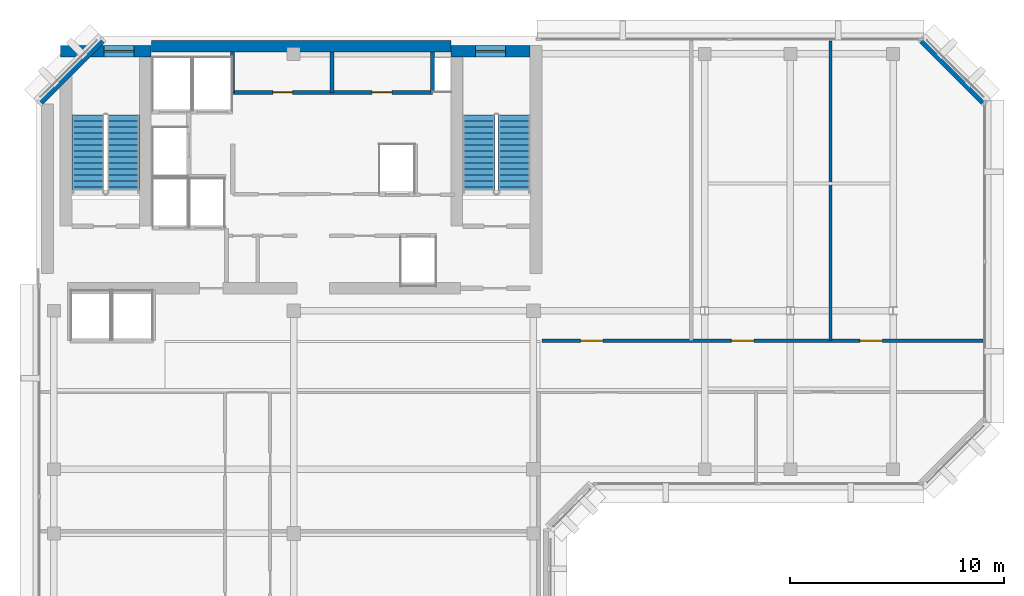
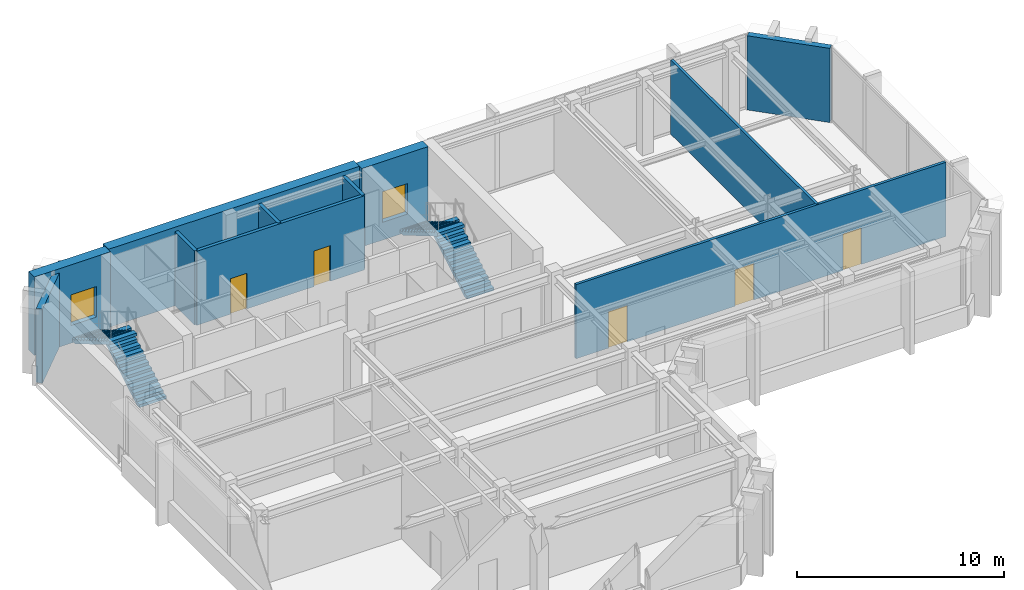
# One storey, part 6 of 9: 11 walls, 5 doors, 4 stair flights, 2 windows, 7 openings, 2 elements without a shape of their own.
"""IFC4 building model written with IfcOpenShell, lengths in metres."""

import ifcopenshell
import ifcopenshell.guid

model = None  # the IFC model being written
_history = None  # IfcOwnerHistory: only IFC2X3 demands one
_inside = {}  # id of a spatial element -> (the spatial element, [elements in it])
_under = {}  # id of a project, library or spatial element -> (it, [spatial elements below it])
_declared = {}  # id of a project -> (the project, [libraries it declares])
_typed = {}  # id of a type object -> (the type object, [elements of that type])
_made_of = {}  # id of a material, layer set ... -> (it, [elements and type objects made of it])


def new_model(schema):
    """Start an empty IFC model of exactly this schema.

    Asked for "IFC4X3", IfcOpenShell would pick the latest addendum, in which some entities
    have other attributes; the version numbers below select the first issue.
    IFC2X3 requires an IfcOwnerHistory on every rooted entity: one is made here for all.
    """
    global model, _history
    if schema == "IFC4X3":
        model = ifcopenshell.file(schema_version=(4, 3, 0, 0))
    else:
        model = ifcopenshell.file(schema=schema)
    _inside.clear()
    _under.clear()
    _declared.clear()
    _typed.clear()
    _made_of.clear()
    _history = None
    if model.schema == "IFC2X3":
        org = make("IfcOrganization", Name="unknown")
        user = make(
            "IfcPersonAndOrganization",
            ThePerson=make("IfcPerson", FamilyName="unknown"),
            TheOrganization=org,
        )
        app = make(
            "IfcApplication",
            ApplicationDeveloper=org,
            Version="unknown",
            ApplicationFullName="unknown",
            ApplicationIdentifier="unknown",
        )
        _history = make(
            "IfcOwnerHistory",
            OwningUser=user,
            OwningApplication=app,
            ChangeAction="ADDED",
            CreationDate=0,
        )
    return model


def make(cls, **values):
    """One entity of the class cls with the attributes given. An attribute that is None is left unset."""
    return model.create_entity(
        cls, **{name: value for name, value in values.items() if value is not None}
    )


def rooted(cls, **values):
    """An entity with a GlobalId (a new one), such as an element, a storey or a relation."""
    return make(cls, GlobalId=ifcopenshell.guid.new(), OwnerHistory=_history, **values)


def si_unit(unit_type, name, prefix=None):
    """IfcSIUnit, for example si_unit("LENGTHUNIT", "METRE", prefix="MILLI")."""
    return make("IfcSIUnit", UnitType=unit_type, Prefix=prefix, Name=name)


def assignment(units):
    """IfcUnitAssignment: the units of a project."""
    return None if units is None else make("IfcUnitAssignment", Units=units)


def point(xyz):
    """IfcCartesianPoint."""
    return None if xyz is None else make("IfcCartesianPoint", Coordinates=xyz)


def direction(xyz):
    """IfcDirection."""
    return None if xyz is None else make("IfcDirection", DirectionRatios=xyz)


def frame(location, z_axis=None, x_axis=None):
    """IfcAxis2Placement3D, a coordinate frame: its origin and axes. An axis left out is left unset."""
    return make(
        "IfcAxis2Placement3D",
        Location=point(location),
        Axis=direction(z_axis),
        RefDirection=direction(x_axis),
    )


def frame_2d(location, x_axis=None):
    """IfcAxis2Placement2D, a coordinate frame in the plane: its origin and x axis."""
    return make(
        "IfcAxis2Placement2D", Location=point(location), RefDirection=direction(x_axis)
    )


def origin():
    """The frame at (0, 0, 0) with its axes left unset."""
    return frame((0.0, 0.0, 0.0))


def place(relative_to, where):
    """IfcLocalPlacement: puts the frame where relative to a parent placement (None: the world)."""
    return make(
        "IfcLocalPlacement", PlacementRelTo=relative_to, RelativePlacement=where
    )


def context(
    kind, dimensions, precision=None, world=None, true_north=None, identifier=None
):
    """IfcGeometricRepresentationContext, for example the 3D "Model" context."""
    return make(
        "IfcGeometricRepresentationContext",
        ContextIdentifier=identifier,
        ContextType=kind,
        CoordinateSpaceDimension=dimensions,
        Precision=precision,
        WorldCoordinateSystem=world,
        TrueNorth=true_north,
    )


def subcontext(parent, identifier, kind, view, scale=None):
    """IfcGeometricRepresentationSubContext, for example "Body" below "Model"."""
    return make(
        "IfcGeometricRepresentationSubContext",
        ContextIdentifier=identifier,
        ContextType=kind,
        ParentContext=parent,
        TargetScale=scale,
        TargetView=view,
    )


def project(units=None, contexts=None):
    """IfcProject with its units and contexts."""
    return rooted(
        "IfcProject",
        Name="project",
        RepresentationContexts=contexts,
        UnitsInContext=assignment(units),
    )


def spatial(cls, under=None, at=None, **own):
    """A site, building, storey or space (cls), placed at a placement, below another one or the project."""
    s = rooted(cls, ObjectPlacement=at, **own)
    if under is not None:
        _under.setdefault(under.id(), (under, []))[1].append(s)
    return s


def polyline(points):
    """IfcPolyline through the points."""
    return make("IfcPolyline", Points=[point(p) for p in points])


def profile(cls, at=None, kind="AREA", **sizes):
    """A parametric profile (cls). Its sizes go by their IFC names, for example OverallWidth=200.0."""
    return make(cls, ProfileType=kind, Position=at, **sizes)


def rectangle(**sizes):
    """IfcRectangleProfileDef."""
    return profile("IfcRectangleProfileDef", **sizes)


def outline(outer, holes=None, kind="AREA"):
    """IfcArbitraryClosedProfileDef: a profile drawn as a closed curve; with holes, ...WithVoids."""
    if holes is None:
        return make("IfcArbitraryClosedProfileDef", ProfileType=kind, OuterCurve=outer)
    return make(
        "IfcArbitraryProfileDefWithVoids",
        ProfileType=kind,
        OuterCurve=outer,
        InnerCurves=holes,
    )


def extrude(swept, where, along, depth):
    """IfcExtrudedAreaSolid: the profile swept, set in the frame where, extruded along a direction by depth."""
    return make(
        "IfcExtrudedAreaSolid",
        SweptArea=swept,
        Position=where,
        ExtrudedDirection=direction(along),
        Depth=depth,
    )


def shape(context_of_items, identifier, shape_type, items):
    """IfcShapeRepresentation: the items that make up one representation, for example the "Body"."""
    return make(
        "IfcShapeRepresentation",
        ContextOfItems=context_of_items,
        RepresentationIdentifier=identifier,
        RepresentationType=shape_type,
        Items=items,
    )


def material(Name=None, Category=None):
    """IfcMaterial."""
    return make("IfcMaterial", Name=Name, Category=Category)


def layer(
    of_material, thickness, ventilated=None, Name=None, Category=None, Priority=None
):
    """IfcMaterialLayer: one layer of a wall or slab, of a material (None: an air gap)."""
    return make(
        "IfcMaterialLayer",
        Material=of_material,
        LayerThickness=thickness,
        IsVentilated=ventilated,
        Name=Name,
        Category=Category,
        Priority=Priority,
    )


def layer_set(layers, Name=None):
    """IfcMaterialLayerSet."""
    return make("IfcMaterialLayerSet", MaterialLayers=layers, LayerSetName=Name)


def made_of(thing, what):
    """Note that an element or type object is made of a material, layer set ...; save() writes the relation."""
    if what is not None:
        _made_of.setdefault(what.id(), (what, []))[1].append(thing)
    return thing


def type_object(cls, material=None, **own):
    """A type object (cls), such as IfcWallType, which elements share."""
    return made_of(rooted(cls, **own), material)


def element(
    cls,
    number,
    at=None,
    inside=None,
    cuts=None,
    type_object=None,
    material=None,
    context=None,
    identifier="Body",
    shape_type=None,
    held_by="IfcProductDefinitionShape",
    body=None,
    shapes=None,
    **own,
):
    """One element of the class cls, such as IfcWall. Its Tag is "e" and its number.

    at: its placement. inside: the storey or other place that contains it. cuts: it is an
    opening in that element (IfcRelVoidsElement). A single representation is given by context,
    identifier, shape_type and body (its items); several are given by shapes. held_by: the class
    of the entity that holds the representations. save() writes the other relations.
    """
    e = rooted(cls, Tag="e%d" % number, ObjectPlacement=at, **own)
    if body is not None:
        shapes = [shape(context, identifier, shape_type, body)]
    if shapes is not None:
        e.Representation = make(held_by, Representations=shapes)
    if inside is not None:
        _inside.setdefault(inside.id(), (inside, []))[1].append(e)
    if cuts is not None:
        rooted(
            "IfcRelVoidsElement", RelatingBuildingElement=cuts, RelatedOpeningElement=e
        )
    if type_object is not None:
        _typed.setdefault(type_object.id(), (type_object, []))[1].append(e)
    return made_of(e, material)


def fill(opening, filler):
    """IfcRelFillsElement: the door or window that sits in an opening."""
    return rooted(
        "IfcRelFillsElement",
        RelatingOpeningElement=opening,
        RelatedBuildingElement=filler,
    )


def aggregate(whole, parts):
    """IfcRelAggregates: a whole, such as a stair, and the parts it consists of."""
    return rooted("IfcRelAggregates", RelatingObject=whole, RelatedObjects=parts)


def save(model, path):
    """Write the relations noted so far, then the file.

    IfcRelAggregates (storeys below a building ...), IfcRelContainedInSpatialStructure (elements
    in a storey), IfcRelDefinesByType, IfcRelAssociatesMaterial and IfcRelDeclares: one each for
    every whole, place, type object, material and project.
    """
    for whole, parts in _under.values():
        aggregate(whole, parts)
    for where, things in _inside.values():
        rooted(
            "IfcRelContainedInSpatialStructure",
            RelatedElements=things,
            RelatingStructure=where,
        )
    for kind, things in _typed.values():
        rooted("IfcRelDefinesByType", RelatedObjects=things, RelatingType=kind)
    for what, things in _made_of.values():
        rooted("IfcRelAssociatesMaterial", RelatedObjects=things, RelatingMaterial=what)
    for by, libraries in _declared.values():
        rooted("IfcRelDeclares", RelatingContext=by, RelatedDefinitions=libraries)
    model.write(path)


model = new_model("IFC4")

# Units and contexts
model_context = context("Model", 3, precision=1e-05, world=origin(), true_north=direction((0.0, 1.0)))
body_context = subcontext(model_context, "Body", "Model", "MODEL_VIEW")
ifc_project = project(units=[si_unit("LENGTHUNIT", "METRE"), si_unit("AREAUNIT", "SQUARE_METRE"), si_unit("VOLUMEUNIT", "CUBIC_METRE"), si_unit("PLANEANGLEUNIT", "RADIAN"), si_unit("MASSUNIT", "GRAM", prefix="KILO")], contexts=[model_context])

# Site, building, storey
site_placement = place(None, origin())
site = spatial("IfcSite", under=ifc_project, at=site_placement, CompositionType="ELEMENT")
building_placement = place(site_placement, origin())
building = spatial("IfcBuilding", under=site, at=building_placement, Name="Kefirva Bronze Tower", CompositionType="ELEMENT")
storey_placement = place(building_placement, frame((0.0, 0.0, 356.72998046875)))
storey = spatial("IfcBuildingStorey", under=building, at=storey_placement, Name="L87", CompositionType="ELEMENT", Elevation=356.72998046875)

# Wall, openings, doors
ifc_material_1 = material(Name="Gypsum acoustic partition")
ifc_layer_1 = layer(ifc_material_1, 0.14990234375, Name="Gypsum acoustic partition")
ifc_layer_set_1 = layer_set([ifc_layer_1], Name="Gypsum acoustic partition")
wall_type_1 = type_object("IfcWallType", Name="Executive Suite Partition 150mm", PredefinedType="PARTITIONING", material=ifc_layer_set_1)
wall_1_placement = place(storey_placement, frame((23.60009765625, 31.800048828125, 0.0), z_axis=(0.0, 0.0, 1.0), x_axis=(1.0, 0.0, 0.0)))
wall_1 = element("IfcWall", 1, at=wall_1_placement, inside=storey, type_object=wall_type_1, Name="L87 Partition W-L87-LKN", PredefinedType="PARTITIONING", context=body_context, shape_type="SweptSolid", body=[
    extrude(rectangle(XDim=20.60986328125, YDim=0.14990234375, at=frame_2d((10.304931640625, 0.0))), origin(), (0.0, 0.0, 1.0), 4.3701171875),
])
opening_1_placement = place(wall_1_placement, frame((1.800048828125, 0.0, 0.0)))
opening_1 = element("IfcOpeningElement", 2, at=opening_1_placement, cuts=wall_1, Name="Opening L87-D-SMN1", PredefinedType="OPENING", context=body_context, shape_type="SweptSolid", body=[
    extrude(rectangle(XDim=1.050048828125, YDim=2.14990234375, at=frame_2d((0.52490234375, 1.074951171875))), frame((0.0, 0.0849609375, 0.0), z_axis=(0.0, -1.0, 0.0), x_axis=(1.0, 0.0, 0.0)), (0.0, 0.0, 1.0), 0.169921875),
])
opening_2_placement = place(wall_1_placement, frame((8.85009765625, 0.0, 0.0)))
opening_2 = element("IfcOpeningElement", 3, at=opening_2_placement, cuts=wall_1, Name="Opening L87-D-SMN2", PredefinedType="OPENING", context=body_context, shape_type="SweptSolid", body=[
    extrude(rectangle(XDim=1.050048828125, YDim=2.14990234375, at=frame_2d((0.52490234375, 1.074951171875))), frame((0.0, 0.0849609375, 0.0), z_axis=(0.0, -1.0, 0.0), x_axis=(1.0, 0.0, 0.0)), (0.0, 0.0, 1.0), 0.169921875),
])
opening_3_placement = place(wall_1_placement, frame((14.85009765625, 0.0, 0.0)))
opening_3 = element("IfcOpeningElement", 4, at=opening_3_placement, cuts=wall_1, Name="Opening L87-D-SMN3", PredefinedType="OPENING", context=body_context, shape_type="SweptSolid", body=[
    extrude(rectangle(XDim=1.050048828125, YDim=2.14990234375, at=frame_2d((0.52490234375, 1.074951171875))), frame((0.0, 0.0849609375, 0.0), z_axis=(0.0, -1.0, 0.0), x_axis=(1.0, 0.0, 0.0)), (0.0, 0.0, 1.0), 0.169921875),
])
ifc_material_2 = material(Name="Acoustic hardwood oak", Category="wood")
door_type_1 = type_object("IfcDoorType", Name="Executive & Boardroom Door 1050x2150", OperationType="NOTDEFINED", PredefinedType="DOOR", material=ifc_material_2)
door_1_placement = place(opening_1_placement, origin())
door_1 = element("IfcDoor", 5, at=door_1_placement, inside=storey, type_object=door_type_1, Name="Door L87-D-SMN1", OperationType="SINGLE_SWING_LEFT", OverallHeight=2.14990234375, OverallWidth=1.050048828125, PredefinedType="DOOR", context=body_context, shape_type="SweptSolid", body=[
    extrude(rectangle(XDim=1.050048828125, YDim=2.14990234375, at=frame_2d((0.52490234375, 1.074951171875))), frame((0.0, 0.02490234375, 0.0), z_axis=(0.0, -1.0, 0.0), x_axis=(1.0, 0.0, 0.0)), (0.0, 0.0, 1.0), 0.050048828125),
])
fill(opening_1, door_1)
door_2_placement = place(opening_2_placement, origin())
door_2 = element("IfcDoor", 6, at=door_2_placement, inside=storey, type_object=door_type_1, Name="Door L87-D-SMN2", OperationType="SINGLE_SWING_RIGHT", OverallHeight=2.14990234375, OverallWidth=1.050048828125, PredefinedType="DOOR", context=body_context, shape_type="SweptSolid", body=[
    extrude(rectangle(XDim=1.050048828125, YDim=2.14990234375, at=frame_2d((0.52490234375, 1.074951171875))), frame((0.0, 0.02490234375, 0.0), z_axis=(0.0, -1.0, 0.0), x_axis=(1.0, 0.0, 0.0)), (0.0, 0.0, 1.0), 0.050048828125),
])
fill(opening_2, door_2)
door_3_placement = place(opening_3_placement, origin())
door_3 = element("IfcDoor", 7, at=door_3_placement, inside=storey, type_object=door_type_1, Name="Door L87-D-SMN3", OperationType="SINGLE_SWING_LEFT", OverallHeight=2.14990234375, OverallWidth=1.050048828125, PredefinedType="DOOR", context=body_context, shape_type="SweptSolid", body=[
    extrude(rectangle(XDim=1.050048828125, YDim=2.14990234375, at=frame_2d((0.52490234375, 1.074951171875))), frame((0.0, 0.02490234375, 0.0), z_axis=(0.0, -1.0, 0.0), x_axis=(1.0, 0.0, 0.0)), (0.0, 0.0, 1.0), 0.050048828125),
])
fill(opening_3, door_3)

# Walls
wall_2_placement = place(storey_placement, frame((37.070068359375, 31.800048828125, 0.0), z_axis=(0.0, 0.0, 1.0), x_axis=(0.0, 1.0, 0.0)))
element("IfcWall", 8, at=wall_2_placement, inside=storey, type_object=wall_type_1, Name="L87 Partition W-L87-SMND2", PredefinedType="PARTITIONING", context=body_context, shape_type="SweptSolid", body=[
    extrude(rectangle(XDim=14.010009765625, YDim=0.14990234375, at=frame_2d((7.0048828125, 0.0))), origin(), (0.0, 0.0, 1.0), 4.3701171875),
])
ifc_material_3 = material(Name="Precast concrete C40/50", Category="concrete")
ifc_layer_2 = layer(ifc_material_3, 0.320068359375, Name="Precast concrete C40/50")
ifc_layer_set_2 = layer_set([ifc_layer_2], Name="Precast concrete C40/50")
wall_type_2 = type_object("IfcWallType", Name="Precast Insulated Exterior Wall 320mm", PredefinedType="SOLIDWALL", material=ifc_layer_set_2)
for number, where, z_axis, x_axis, name in (
    (9, (44.248046875, 42.92578125, 0.0), (0.0, 0.0, 1.0), (-0.707136318428, 0.707077242712, 0.0), "L87 Exterior Facade Wall 8"),
    (10, (3.07421875, 45.847900390625, 0.0), (0.0, 0.0, 1.0), (-0.707106781187, -0.707106781187, 0.0), "L87 Exterior Facade Wall 9"),
):
    element("IfcWall", number, at=place(storey_placement, frame(where, z_axis=z_axis, x_axis=x_axis)), inside=storey, type_object=wall_type_2, Name=name, PredefinedType="SOLIDWALL", context=body_context, shape_type="SweptSolid", body=[
        extrude(rectangle(XDim=4.132568359375, YDim=0.320068359375, at=frame_2d((2.06640625, 0.0))), origin(), (0.0, 0.0, 1.0), 4.3701171875),
    ])
ifc_material_4 = material(Name="Concrete C50/60", Category="concrete")
ifc_layer_3 = layer(ifc_material_4, 0.550048828125, Name="Concrete C50/60")
ifc_layer_set_3 = layer_set([ifc_layer_3], Name="Concrete C50/60")
wall_type_3 = type_object("IfcWallType", Name="RC Rear Core Exterior Wall 550mm", PredefinedType="SHEAR", material=ifc_layer_set_3)
wall_3_placement = place(storey_placement, frame((5.360107421875, 45.550048828125, 0.0), z_axis=(0.0, 0.0, 1.0), x_axis=(1.0, 0.0, 0.0)))
element("IfcWall", 11, at=wall_3_placement, inside=storey, type_object=wall_type_3, Name="L87 Rear Core North Shear Wall", PredefinedType="SHEAR", context=body_context, shape_type="SweptSolid", body=[
    extrude(rectangle(XDim=13.97998046875, YDim=0.550048828125, at=frame_2d((6.989990234375, 0.0))), origin(), (0.0, 0.0, 1.0), 4.6201171875),
])

# Wall, opening, window
wall_4_placement = place(storey_placement, frame((1.10009765625, 45.320068359375, 0.0), z_axis=(0.0, 0.0, 1.0), x_axis=(1.0, 0.0, 0.0)))
wall_4 = element("IfcWall", 12, at=wall_4_placement, inside=storey, type_object=wall_type_3, Name="L87 Stair 1 North Shear Wall", PredefinedType="SHEAR", context=body_context, shape_type="SweptSolid", body=[
    extrude(rectangle(XDim=4.239990234375, YDim=0.550048828125, at=frame_2d((2.1201171875, 0.0))), origin(), (0.0, 0.0, 1.0), 4.6201171875),
])
opening_4_placement = place(wall_4_placement, frame((2.050048828125, 0.0, 1.050048828125)))
opening_4 = element("IfcOpeningElement", 13, at=opening_4_placement, cuts=wall_4, Name="Opening WN-03", PredefinedType="OPENING", context=body_context, shape_type="SweptSolid", body=[
    extrude(rectangle(XDim=1.39990234375, YDim=1.800048828125, at=frame_2d((0.699951171875, 0.89990234375))), frame((0.0, 0.28515625, 0.0), z_axis=(0.0, -1.0, 0.0), x_axis=(1.0, 0.0, 0.0)), (0.0, 0.0, 1.0), 0.570068359375),
])
ifc_material_5 = material(Name="Laminated low-E double glazing", Category="glass")
window_type = type_object("IfcWindowType", Name="Rear-Core Stair Daylight Window 1400x1800", PartitioningType="SINGLE_PANEL", PredefinedType="WINDOW", material=ifc_material_5)
window_1_placement = place(opening_4_placement, origin())
window_1 = element("IfcWindow", 14, at=window_1_placement, inside=storey, type_object=window_type, Name="L87 Stair 1 Daylight Window", OverallHeight=1.800048828125, OverallWidth=1.39990234375, PartitioningType="SINGLE_PANEL", PredefinedType="WINDOW", context=body_context, shape_type="SweptSolid", body=[
    extrude(rectangle(XDim=1.39990234375, YDim=1.800048828125, at=frame_2d((0.699951171875, 0.89990234375))), frame((0.0, 0.030029296875, 0.0), z_axis=(0.0, -1.0, 0.0), x_axis=(1.0, 0.0, 0.0)), (0.0, 0.0, 1.0), 0.06005859375),
])
fill(opening_4, window_1)

wall_5_placement = place(storey_placement, frame((19.35009765625, 45.320068359375, 0.0), z_axis=(0.0, 0.0, 1.0), x_axis=(1.0, 0.0, 0.0)))
wall_5 = element("IfcWall", 15, at=wall_5_placement, inside=storey, type_object=wall_type_3, Name="L87 Stair 2 North Shear Wall", PredefinedType="SHEAR", context=body_context, shape_type="SweptSolid", body=[
    extrude(rectangle(XDim=3.68994140625, YDim=0.550048828125, at=frame_2d((1.844970703125, 0.0))), origin(), (0.0, 0.0, 1.0), 4.6201171875),
])
opening_5_placement = place(wall_5_placement, frame((1.14990234375, 0.0, 1.050048828125)))
opening_5 = element("IfcOpeningElement", 16, at=opening_5_placement, cuts=wall_5, Name="Opening WN-03", PredefinedType="OPENING", context=body_context, shape_type="SweptSolid", body=[
    extrude(rectangle(XDim=1.39990234375, YDim=1.800048828125, at=frame_2d((0.699951171875, 0.89990234375))), frame((0.0, 0.28515625, 0.0), z_axis=(0.0, -1.0, 0.0), x_axis=(1.0, 0.0, 0.0)), (0.0, 0.0, 1.0), 0.570068359375),
])
window_2_placement = place(opening_5_placement, origin())
window_2 = element("IfcWindow", 17, at=window_2_placement, inside=storey, type_object=window_type, Name="L87 Stair 2 Daylight Window", OverallHeight=1.800048828125, OverallWidth=1.39990234375, PartitioningType="SINGLE_PANEL", PredefinedType="WINDOW", context=body_context, shape_type="SweptSolid", body=[
    extrude(rectangle(XDim=1.39990234375, YDim=1.800048828125, at=frame_2d((0.699951171875, 0.89990234375))), frame((0.0, 0.030029296875, 0.0), z_axis=(0.0, -1.0, 0.0), x_axis=(1.0, 0.0, 0.0)), (0.0, 0.0, 1.0), 0.06005859375),
])
fill(opening_5, window_2)

# Wall, openings, doors
ifc_material_6 = material(Name="Moisture-resistant partition")
ifc_layer_4 = layer(ifc_material_6, 0.179931640625, Name="Moisture-resistant partition")
ifc_layer_set_4 = layer_set([ifc_layer_4], Name="Moisture-resistant partition")
wall_type_4 = type_object("IfcWallType", Name="Sanitary Plumbing Chase Wall 180mm", PredefinedType="PLUMBINGWALL", material=ifc_layer_set_4)
wall_6_placement = place(storey_placement, frame((9.14990234375, 43.39990234375, 0.0), z_axis=(0.0, 0.0, 1.0), x_axis=(1.0, 0.0, 0.0)))
wall_6 = element("IfcWall", 18, at=wall_6_placement, inside=storey, type_object=wall_type_4, Name="L87 Partition W-L87-SVCS", PredefinedType="PLUMBINGWALL", context=body_context, shape_type="SweptSolid", body=[
    extrude(rectangle(XDim=9.330078125, YDim=0.179931640625, at=frame_2d((4.6650390625, 0.0))), origin(), (0.0, 0.0, 1.0), 4.3701171875),
])
opening_6_placement = place(wall_6_placement, frame((1.8798828125, 0.0, 0.0)))
opening_6 = element("IfcOpeningElement", 19, at=opening_6_placement, cuts=wall_6, Name="Opening L87-D-CSVC1", PredefinedType="OPENING", context=body_context, shape_type="SweptSolid", body=[
    extrude(rectangle(XDim=0.919921875, YDim=2.10009765625, at=frame_2d((0.4599609375, 1.050048828125))), frame((0.0, 0.10009765625, 0.0), z_axis=(0.0, -1.0, 0.0), x_axis=(1.0, 0.0, 0.0)), (0.0, 0.0, 1.0), 0.199951171875),
])
opening_7_placement = place(wall_6_placement, frame((6.514892578125, 0.0, 0.0)))
opening_7 = element("IfcOpeningElement", 20, at=opening_7_placement, cuts=wall_6, Name="Opening L87-D-CSVC2", PredefinedType="OPENING", context=body_context, shape_type="SweptSolid", body=[
    extrude(rectangle(XDim=0.919921875, YDim=2.10009765625, at=frame_2d((0.4599609375, 1.050048828125))), frame((0.0, 0.10009765625, 0.0), z_axis=(0.0, -1.0, 0.0), x_axis=(1.0, 0.0, 0.0)), (0.0, 0.0, 1.0), 0.199951171875),
])
ifc_material_7 = material(Name="Moisture-resistant timber", Category="wood")
door_type_2 = type_object("IfcDoorType", Name="Accessible Sanitary & WC Door 920x2100", OperationType="NOTDEFINED", PredefinedType="DOOR", material=ifc_material_7)
door_4_placement = place(opening_6_placement, origin())
door_4 = element("IfcDoor", 21, at=door_4_placement, inside=storey, type_object=door_type_2, Name="Door L87-D-CSVC1", OperationType="SINGLE_SWING_LEFT", OverallHeight=2.10009765625, OverallWidth=0.919921875, PredefinedType="DOOR", context=body_context, shape_type="SweptSolid", body=[
    extrude(rectangle(XDim=0.919921875, YDim=2.10009765625, at=frame_2d((0.4599609375, 1.050048828125))), frame((0.0, 0.02490234375, 0.0), z_axis=(0.0, -1.0, 0.0), x_axis=(1.0, 0.0, 0.0)), (0.0, 0.0, 1.0), 0.050048828125),
])
fill(opening_6, door_4)
door_5_placement = place(opening_7_placement, origin())
door_5 = element("IfcDoor", 22, at=door_5_placement, inside=storey, type_object=door_type_2, Name="Door L87-D-CSVC2", OperationType="SINGLE_SWING_RIGHT", OverallHeight=2.10009765625, OverallWidth=0.919921875, PredefinedType="DOOR", context=body_context, shape_type="SweptSolid", body=[
    extrude(rectangle(XDim=0.919921875, YDim=2.10009765625, at=frame_2d((0.4599609375, 1.050048828125))), frame((0.0, 0.02490234375, 0.0), z_axis=(0.0, -1.0, 0.0), x_axis=(1.0, 0.0, 0.0)), (0.0, 0.0, 1.0), 0.050048828125),
])
fill(opening_7, door_5)

# Walls
for number, where, z_axis, x_axis, name in (
    (23, (9.14990234375, 43.39990234375, 0.0), (0.0, 0.0, 1.0), (0.0, 1.0, 0.0), "L87 Partition W-L87-SVCW"),
    (24, (18.47998046875, 43.39990234375, 0.0), (0.0, 0.0, 1.0), (0.0, 1.0, 0.0), "L87 Partition W-L87-SVCE"),
    (25, (13.800048828125, 43.39990234375, 0.0), (0.0, 0.0, 1.0), (0.0, 1.0, 0.0), "L87 Partition W-L87-CSVD-1"),
):
    element("IfcWall", number, at=place(storey_placement, frame(where, z_axis=z_axis, x_axis=x_axis)), inside=storey, type_object=wall_type_4, Name=name, PredefinedType="PLUMBINGWALL", context=body_context, shape_type="SweptSolid", body=[
        extrude(rectangle(XDim=1.880126953125, YDim=0.179931640625, at=frame_2d((0.93994140625, 0.0))), origin(), (0.0, 0.0, 1.0), 4.3701171875),
    ])

# Stair, stair flights
ifc_material_8 = material(Name="Concrete C40/50", Category="concrete")
stair_type = type_object("IfcStairType", Name="RC Dogleg Protected Stair 28R", PredefinedType="HALF_TURN_STAIR", material=ifc_material_8)
stair_1_placement = place(storey_placement, origin())
stair_1 = element("IfcStair", 26, at=stair_1_placement, inside=storey, type_object=stair_type, Name="L87 Protected Exit Stair 1", PredefinedType="HALF_TURN_STAIR")
stair_flight_type = type_object("IfcStairFlightType", Name="RC Straight Stair Flight 28R", PredefinedType="STRAIGHT", material=ifc_material_8)
stair_flight_1_placement = place(storey_placement, frame((4.050048828125, 38.699951171875, 0.0), z_axis=(0.0, 0.0, 1.0), x_axis=(0.0, 1.0, 0.0)))
stair_flight_1 = element("IfcStairFlight", 27, at=stair_flight_1_placement, type_object=stair_flight_type, Name="ST-1 flight 1", NumberOfRisers=14, NumberOfTreads=13, PredefinedType="STRAIGHT", RiserHeight=0.165, TreadLength=0.28, context=body_context, shape_type="SweptSolid", body=[
    extrude(outline(polyline([(0.0, 0.0), (0.0, 0.1650390625), (0.280029296875, 0.1650390625), (0.280029296875, 0.330078125), (0.56005859375, 0.330078125), (0.56005859375, 0.4951171875), (0.840087890625, 0.4951171875), (0.840087890625, 0.659912109375), (1.1201171875, 0.659912109375), (1.1201171875, 0.824951171875), (1.39990234375, 0.824951171875), (1.39990234375, 0.989990234375), (1.679931640625, 0.989990234375), (1.679931640625, 1.155029296875), (1.9599609375, 1.155029296875), (1.9599609375, 1.320068359375), (2.239990234375, 1.320068359375), (2.239990234375, 1.485107421875), (2.52001953125, 1.485107421875), (2.52001953125, 1.64990234375), (2.800048828125, 1.64990234375), (2.800048828125, 1.81494140625), (3.080078125, 1.81494140625), (3.080078125, 1.97998046875), (3.360107421875, 1.97998046875), (3.360107421875, 2.14501953125), (3.639892578125, 2.14501953125), (3.639892578125, 2.31005859375), (3.639892578125, 1.970947265625), (0.295166015625, 0.0), (0.0, 0.0)])), frame((0.0, 0.75, 0.0), z_axis=(0.0, -1.0, 0.0), x_axis=(1.0, 0.0, 0.0)), (0.0, 0.0, 1.0), 1.5),
])
stair_flight_2_placement = place(storey_placement, frame((2.39990234375, 42.340087890625, 2.31005859375), z_axis=(0.0, 0.0, 1.0), x_axis=(0.0, -1.0, 0.0)))
stair_flight_2 = element("IfcStairFlight", 28, at=stair_flight_2_placement, type_object=stair_flight_type, Name="ST-1 flight 2", NumberOfRisers=14, NumberOfTreads=13, PredefinedType="STRAIGHT", RiserHeight=0.165, TreadLength=0.28, context=body_context, shape_type="SweptSolid", body=[
    extrude(outline(polyline([(0.0, 0.0), (0.0, 0.1650390625), (0.280029296875, 0.1650390625), (0.280029296875, 0.330078125), (0.56005859375, 0.330078125), (0.56005859375, 0.4951171875), (0.840087890625, 0.4951171875), (0.840087890625, 0.659912109375), (1.1201171875, 0.659912109375), (1.1201171875, 0.824951171875), (1.39990234375, 0.824951171875), (1.39990234375, 0.989990234375), (1.679931640625, 0.989990234375), (1.679931640625, 1.155029296875), (1.9599609375, 1.155029296875), (1.9599609375, 1.320068359375), (2.239990234375, 1.320068359375), (2.239990234375, 1.485107421875), (2.52001953125, 1.485107421875), (2.52001953125, 1.64990234375), (2.800048828125, 1.64990234375), (2.800048828125, 1.81494140625), (3.080078125, 1.81494140625), (3.080078125, 1.97998046875), (3.360107421875, 1.97998046875), (3.360107421875, 2.14501953125), (3.639892578125, 2.14501953125), (3.639892578125, 2.31005859375), (3.639892578125, 1.970947265625), (0.295166015625, 0.0), (0.0, 0.0)])), frame((0.0, 0.75, 0.0), z_axis=(0.0, -1.0, 0.0), x_axis=(1.0, 0.0, 0.0)), (0.0, 0.0, 1.0), 1.5),
])
aggregate(stair_1, [stair_flight_1, stair_flight_2])

stair_2_placement = place(storey_placement, origin())
stair_2 = element("IfcStair", 29, at=stair_2_placement, inside=storey, type_object=stair_type, Name="L87 Protected Exit Stair 2", PredefinedType="HALF_TURN_STAIR")
stair_flight_3_placement = place(storey_placement, frame((22.300048828125, 38.699951171875, 0.0), z_axis=(0.0, 0.0, 1.0), x_axis=(0.0, 1.0, 0.0)))
stair_flight_3 = element("IfcStairFlight", 30, at=stair_flight_3_placement, type_object=stair_flight_type, Name="ST-2 flight 1", NumberOfRisers=14, NumberOfTreads=13, PredefinedType="STRAIGHT", RiserHeight=0.165, TreadLength=0.28, context=body_context, shape_type="SweptSolid", body=[
    extrude(outline(polyline([(0.0, 0.0), (0.0, 0.1650390625), (0.280029296875, 0.1650390625), (0.280029296875, 0.330078125), (0.56005859375, 0.330078125), (0.56005859375, 0.4951171875), (0.840087890625, 0.4951171875), (0.840087890625, 0.659912109375), (1.1201171875, 0.659912109375), (1.1201171875, 0.824951171875), (1.39990234375, 0.824951171875), (1.39990234375, 0.989990234375), (1.679931640625, 0.989990234375), (1.679931640625, 1.155029296875), (1.9599609375, 1.155029296875), (1.9599609375, 1.320068359375), (2.239990234375, 1.320068359375), (2.239990234375, 1.485107421875), (2.52001953125, 1.485107421875), (2.52001953125, 1.64990234375), (2.800048828125, 1.64990234375), (2.800048828125, 1.81494140625), (3.080078125, 1.81494140625), (3.080078125, 1.97998046875), (3.360107421875, 1.97998046875), (3.360107421875, 2.14501953125), (3.639892578125, 2.14501953125), (3.639892578125, 2.31005859375), (3.639892578125, 1.970947265625), (0.295166015625, 0.0), (0.0, 0.0)])), frame((0.0, 0.75, 0.0), z_axis=(0.0, -1.0, 0.0), x_axis=(1.0, 0.0, 0.0)), (0.0, 0.0, 1.0), 1.5),
])
stair_flight_4_placement = place(storey_placement, frame((20.64990234375, 42.340087890625, 2.31005859375), z_axis=(0.0, 0.0, 1.0), x_axis=(0.0, -1.0, 0.0)))
stair_flight_4 = element("IfcStairFlight", 31, at=stair_flight_4_placement, type_object=stair_flight_type, Name="ST-2 flight 2", NumberOfRisers=14, NumberOfTreads=13, PredefinedType="STRAIGHT", RiserHeight=0.165, TreadLength=0.28, context=body_context, shape_type="SweptSolid", body=[
    extrude(outline(polyline([(0.0, 0.0), (0.0, 0.1650390625), (0.280029296875, 0.1650390625), (0.280029296875, 0.330078125), (0.56005859375, 0.330078125), (0.56005859375, 0.4951171875), (0.840087890625, 0.4951171875), (0.840087890625, 0.659912109375), (1.1201171875, 0.659912109375), (1.1201171875, 0.824951171875), (1.39990234375, 0.824951171875), (1.39990234375, 0.989990234375), (1.679931640625, 0.989990234375), (1.679931640625, 1.155029296875), (1.9599609375, 1.155029296875), (1.9599609375, 1.320068359375), (2.239990234375, 1.320068359375), (2.239990234375, 1.485107421875), (2.52001953125, 1.485107421875), (2.52001953125, 1.64990234375), (2.800048828125, 1.64990234375), (2.800048828125, 1.81494140625), (3.080078125, 1.81494140625), (3.080078125, 1.97998046875), (3.360107421875, 1.97998046875), (3.360107421875, 2.14501953125), (3.639892578125, 2.14501953125), (3.639892578125, 2.31005859375), (3.639892578125, 1.970947265625), (0.295166015625, 0.0), (0.0, 0.0)])), frame((0.0, 0.75, 0.0), z_axis=(0.0, -1.0, 0.0), x_axis=(1.0, 0.0, 0.0)), (0.0, 0.0, 1.0), 1.5),
])
aggregate(stair_2, [stair_flight_3, stair_flight_4])

save(model, "model.ifc")
